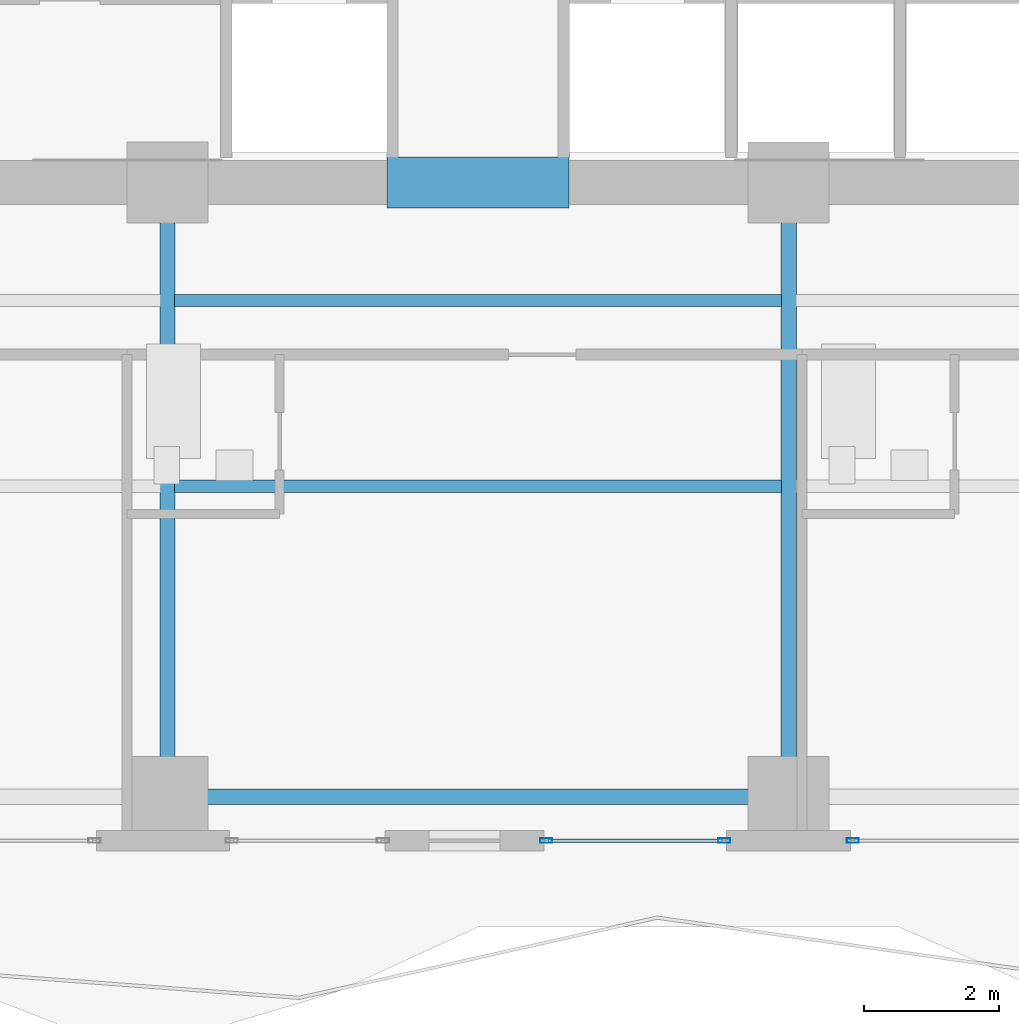
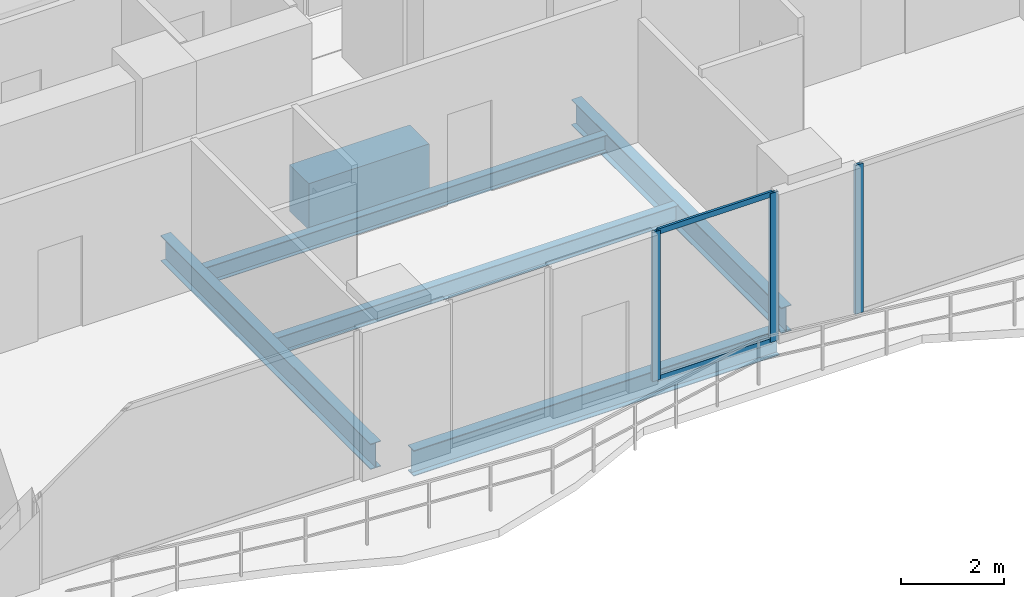
# One storey, part 6 of 32: 6 beams, 5 members, 2 elements without a shape of their own.
"""IFC4 building model written with IfcOpenShell, lengths in metres."""

from ifc_helpers import new_model, si_unit, direction, frame, origin, origin_2d, place, context, subcontext, project, spatial, rectangle, hollow_rectangle, i_section, extrude, material, layer, layer_set, material_profile, profile_set, type_object, element, aggregate, save


model = new_model("IFC4")

# Units and contexts
model_context = context("Model", 3, precision=1e-05, world=origin(), true_north=direction((0.0, 1.0)))
body_context = subcontext(model_context, "Body", "Model", "MODEL_VIEW")
ifc_project = project(units=[si_unit("LENGTHUNIT", "METRE"), si_unit("AREAUNIT", "SQUARE_METRE"), si_unit("VOLUMEUNIT", "CUBIC_METRE"), si_unit("PLANEANGLEUNIT", "RADIAN"), si_unit("MASSUNIT", "GRAM", prefix="KILO")], contexts=[model_context])

# Site, building, storey
site_placement = place(None, origin())
site = spatial("IfcSite", under=ifc_project, at=site_placement, CompositionType="ELEMENT")
building_placement = place(site_placement, origin())
building = spatial("IfcBuilding", under=site, at=building_placement, Name="Zuhayl Quay Hotel", CompositionType="ELEMENT")
storey_placement = place(building_placement, frame((0.0, 0.0, 177.39990234375)))
storey = spatial("IfcBuildingStorey", under=building, at=storey_placement, Name="L44", CompositionType="ELEMENT", Elevation=177.39990234375)

# Beams
ifc_material_1 = material(Name="Steel ASTM A992 Grade 50", Category="steel")
ifc_material_profile_1 = material_profile(ifc_material_1, i_section(OverallWidth=0.22802734375, OverallDepth=0.60693359375, WebThickness=0.01123046875, FlangeThickness=0.017333984375, at=origin_2d()), Name="W24X76")
ifc_profile_set_1 = profile_set([ifc_material_profile_1], Name="Steel ASTM A992 Grade 50")
beam_type_1 = type_object("IfcBeamType", Name="BM_B3_W24X76", PredefinedType="BEAM", material=ifc_profile_set_1)
beam_1_placement = place(storey_placement, frame((-4.10009765625, -6.949951171875, -0.5234375), z_axis=(1.0, 0.0, 0.0), x_axis=(0.0, 1.0, 0.0)))
element("IfcBeam", 1, at=beam_1_placement, inside=storey, type_object=beam_type_1, Name="L44 Floor Beam RG_L44_02", PredefinedType="BEAM", context=body_context, shape_type="SweptSolid", body=[
    extrude(i_section(OverallWidth=0.22802734375, OverallDepth=0.60693359375, WebThickness=0.01123046875, FlangeThickness=0.017333984375, at=origin_2d()), origin(), (0.0, 0.0, 1.0), 8.2001953125),
])
for number, where, z_axis, x_axis, name in (
    (2, (-4.60009765625, -6.449951171875, -0.5234375), (0.0, 1.0, 0.0), (-1.0, 0.0, 0.0), "L44 Floor Beam FG_S_L44_2"),
    (3, (4.60009765625, -6.449951171875, -0.5234375), (0.0, 1.0, 0.0), (-1.0, 0.0, 0.0), "L44 Floor Beam FG_S_L44_3"),
):
    element("IfcBeam", number, at=place(storey_placement, frame(where, z_axis=z_axis, x_axis=x_axis)), inside=storey, type_object=beam_type_1, Name=name, PredefinedType="BEAM", context=body_context, shape_type="SweptSolid", body=[
        extrude(i_section(OverallWidth=0.22802734375, OverallDepth=0.60693359375, WebThickness=0.01123046875, FlangeThickness=0.017333984375, at=origin_2d()), origin(), (0.0, 0.0, 1.0), 8.14990234375),
    ])
ifc_material_2 = material(Name="Concrete C60/75", Category="concrete")
ifc_material_profile_2 = material_profile(ifc_material_2, rectangle(XDim=0.75, YDim=1.10009765625, at=origin_2d()), Name="RC750X1100")
ifc_profile_set_2 = profile_set([ifc_material_profile_2], Name="Concrete C60/75")
beam_type_2 = type_object("IfcBeamType", Name="BM_CB2_RC750", PredefinedType="T_BEAM", material=ifc_profile_set_2)
beam_2_placement = place(storey_placement, frame((-1.35009765625, 2.14990234375, -0.77001953125), z_axis=(1.0, 0.0, 0.0), x_axis=(0.0, 1.0, 0.0)))
element("IfcBeam", 4, at=beam_2_placement, inside=storey, type_object=beam_type_2, Name="L44 Core Coupling Beam South", PredefinedType="T_BEAM", context=body_context, shape_type="SweptSolid", body=[
    extrude(rectangle(XDim=0.75, YDim=1.10009765625, at=origin_2d()), origin(), (0.0, 0.0, 1.0), 2.7001953125),
])
ifc_material_profile_3 = material_profile(ifc_material_1, i_section(OverallWidth=0.177978515625, OverallDepth=0.406005859375, WebThickness=0.0078125, FlangeThickness=0.0126953125, at=origin_2d()), Name="W16X40")
ifc_profile_set_3 = profile_set([ifc_material_profile_3], Name="Steel ASTM A992 Grade 50")
beam_type_3 = type_object("IfcBeamType", Name="BM_J2B_W16X40", PredefinedType="JOIST", material=ifc_profile_set_3)
for number, where, z_axis, x_axis, name in (
    (5, (-4.493896484375, -2.35009765625, -0.4228515625), (1.0, 0.0, 0.0), (0.0, 1.0, 0.0), "L44 Floor Beam FJ_L44_7_2"),
    (6, (-4.493896484375, 0.39990234375, -0.4228515625), (1.0, 0.0, 0.0), (0.0, 1.0, 0.0), "L44 Floor Beam FJ_L44_8_2"),
):
    element("IfcBeam", number, at=place(storey_placement, frame(where, z_axis=z_axis, x_axis=x_axis)), inside=storey, type_object=beam_type_3, Name=name, PredefinedType="JOIST", context=body_context, shape_type="SweptSolid", body=[
        extrude(i_section(OverallWidth=0.177978515625, OverallDepth=0.406005859375, WebThickness=0.0078125, FlangeThickness=0.0126953125, at=origin_2d()), origin(), (0.0, 0.0, 1.0), 8.98779296875),
    ])

# Curtain wall, member
ifc_material_3 = material(Name="Anodised Aluminium 6063-T6", Category="aluminium")
ifc_layer = layer(ifc_material_3, 0.175048828125, Name="Anodised Aluminium 6063-T6", Category="aluminium")
ifc_layer_set = layer_set([ifc_layer], Name="Anodised Aluminium 6063-T6")
curtain_wall_type = type_object("IfcCurtainWallType", Name="CW_SYS_Z3", PredefinedType="USERDEFINED", material=ifc_layer_set)
curtain_wall_1_placement = place(storey_placement, origin())
curtain_wall_1 = element("IfcCurtainWall", 7, at=curtain_wall_1_placement, inside=storey, type_object=curtain_wall_type, Name="L44 Curtain Wall ENV_L44_S_CW2", ObjectType="UNITISED CURTAIN WALL", PredefinedType="USERDEFINED")
ifc_material_4 = material(Name="Black-anodised aluminium 6063-T6", Category="aluminium")
ifc_material_profile_4 = material_profile(ifc_material_4, hollow_rectangle(XDim=0.06494140625, YDim=0.179931640625, WallThickness=0.00341796875, at=origin_2d()), Name="ALU180X65")
ifc_profile_set_4 = profile_set([ifc_material_profile_4], Name="Black-anodised aluminium 6063-T6")
member_type_1 = type_object("IfcMemberType", Name="MB_CW_MUL_180", PredefinedType="MULLION", material=ifc_profile_set_4)
member_1_placement = place(storey_placement, frame((5.552490234375, -7.60009765625, 0.0), z_axis=(0.0, 0.0, 1.0), x_axis=(0.0, -1.0, 0.0)))
member_1 = element("IfcMember", 8, at=member_1_placement, type_object=member_type_1, Name="CW-Z3 mullion 2", PredefinedType="MULLION", context=body_context, shape_type="SweptSolid", body=[
    extrude(hollow_rectangle(XDim=0.06494140625, YDim=0.179931640625, WallThickness=0.00341796875, at=origin_2d()), origin(), (0.0, 0.0, 1.0), 3.530029296875),
])
aggregate(curtain_wall_1, [member_1])

# Curtain wall, members
curtain_wall_2_placement = place(storey_placement, origin())
curtain_wall_2 = element("IfcCurtainWall", 9, at=curtain_wall_2_placement, inside=storey, type_object=curtain_wall_type, Name="L44 Curtain Wall ENV_L44_S_CW3", ObjectType="UNITISED CURTAIN WALL", PredefinedType="USERDEFINED")
member_2_placement = place(storey_placement, frame((3.6474609375, -7.60009765625, 0.0), z_axis=(0.0, 0.0, 1.0), x_axis=(0.0, -1.0, 0.0)))
member_2 = element("IfcMember", 10, at=member_2_placement, type_object=member_type_1, Name="CW-Z3 mullion 1", PredefinedType="MULLION", context=body_context, shape_type="SweptSolid", body=[
    extrude(hollow_rectangle(XDim=0.06494140625, YDim=0.179931640625, WallThickness=0.00341796875, at=origin_2d()), origin(), (0.0, 0.0, 1.0), 3.530029296875),
])
member_3_placement = place(storey_placement, frame((1.007568359375, -7.60009765625, 0.0), z_axis=(0.0, 0.0, 1.0), x_axis=(0.0, -1.0, 0.0)))
member_3 = element("IfcMember", 11, at=member_3_placement, type_object=member_type_1, Name="CW-Z3 mullion 2", PredefinedType="MULLION", context=body_context, shape_type="SweptSolid", body=[
    extrude(hollow_rectangle(XDim=0.06494140625, YDim=0.179931640625, WallThickness=0.00341796875, at=origin_2d()), origin(), (0.0, 0.0, 1.0), 3.530029296875),
])
ifc_material_profile_5 = material_profile(ifc_material_4, hollow_rectangle(XDim=0.054931640625, YDim=0.1298828125, WallThickness=0.0029296875, at=origin_2d()), Name="ALU130X55")
ifc_profile_set_5 = profile_set([ifc_material_profile_5], Name="Black-anodised aluminium 6063-T6")
member_type_2 = type_object("IfcMemberType", Name="MB_CW_TRN_130", PredefinedType="USERDEFINED", material=ifc_profile_set_5)
member_4_placement = place(storey_placement, frame((3.614990234375, -7.60009765625, 0.027587890625), z_axis=(-1.0, 0.0, 0.0), x_axis=(0.0, -1.0, 0.0)))
member_4 = element("IfcMember", 12, at=member_4_placement, type_object=member_type_2, Name="CW-Z3 transom 1.1", ObjectType="TRANSOM", PredefinedType="USERDEFINED", context=body_context, shape_type="SweptSolid", body=[
    extrude(hollow_rectangle(XDim=0.054931640625, YDim=0.1298828125, WallThickness=0.0029296875, at=origin_2d()), origin(), (0.0, 0.0, 1.0), 2.574951171875),
])
member_5_placement = place(storey_placement, frame((3.614990234375, -7.60009765625, 3.502685546875), z_axis=(-1.0, 0.0, 0.0), x_axis=(0.0, -1.0, 0.0)))
member_5 = element("IfcMember", 13, at=member_5_placement, type_object=member_type_2, Name="CW-Z3 transom 1.2", ObjectType="TRANSOM", PredefinedType="USERDEFINED", context=body_context, shape_type="SweptSolid", body=[
    extrude(hollow_rectangle(XDim=0.054931640625, YDim=0.1298828125, WallThickness=0.0029296875, at=origin_2d()), origin(), (0.0, 0.0, 1.0), 2.574951171875),
])
aggregate(curtain_wall_2, [member_2, member_3, member_4, member_5])

save(model, "model.ifc")
